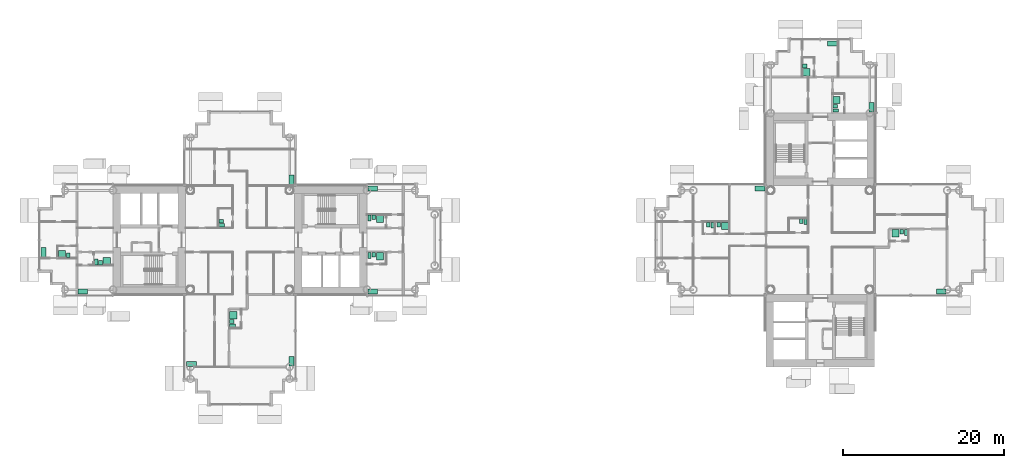
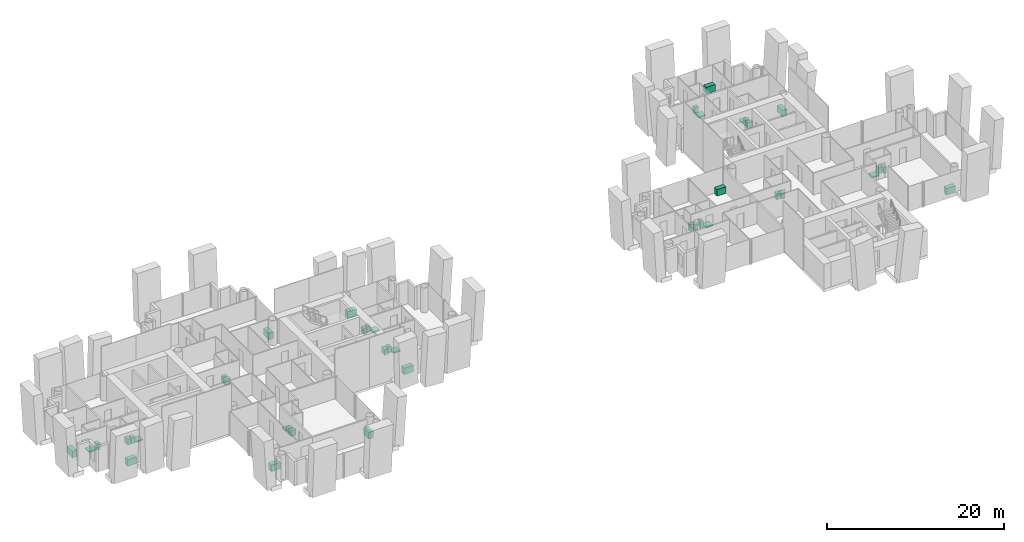
# One storey, part 21 of 21: 41 sanitary terminals.
"""IFC4 building model written with IfcOpenShell, lengths in metres."""

from ifc_helpers import new_model, si_unit, direction, frame, origin, origin_2d, place, context, subcontext, project, spatial, rectangle, extrude, material, type_object, element, save


model = new_model("IFC4")

# Units and contexts
model_context = context("Model", 3, precision=1e-05, world=origin(), true_north=direction((0.0, 1.0)))
body_context = subcontext(model_context, "Body", "Model", "MODEL_VIEW")
ifc_project = project(units=[si_unit("LENGTHUNIT", "METRE"), si_unit("AREAUNIT", "SQUARE_METRE"), si_unit("VOLUMEUNIT", "CUBIC_METRE"), si_unit("PLANEANGLEUNIT", "RADIAN"), si_unit("MASSUNIT", "GRAM", prefix="KILO")], contexts=[model_context])

# Site, building, storey
site_placement = place(None, origin())
site = spatial("IfcSite", under=ifc_project, at=site_placement, CompositionType="ELEMENT")
building_placement = place(site_placement, origin())
building = spatial("IfcBuilding", under=site, at=building_placement, Name="Ipe Terrace Towers", CompositionType="ELEMENT")
storey_placement = place(building_placement, frame((0.0, 0.0, 114.0)))
storey = spatial("IfcBuildingStorey", under=building, at=storey_placement, Name="L31", CompositionType="ELEMENT", Elevation=114.0)

# Sanitary terminals
ifc_material_1 = material(Name="Stainless sink unit", Category="metal")
sanitary_terminal_type_1 = type_object("IfcSanitaryTerminalType", Name="Kitchen sink unit", PredefinedType="SINK", material=ifc_material_1)
for number, where, z_axis, x_axis, name in (
    (1, (-29.6201171875, 7.469970703125, 0.0), (0.0, 0.0, 1.0), (0.0, -1.0, 0.0), "Kitchen sink unit"),
    (2, (-29.6201171875, -15.030029296875, 0.0), (0.0, 0.0, 1.0), (0.0, -1.0, 0.0), "Kitchen sink unit"),
    (3, (-42.030029296875, -15.3798828125, 0.0), (0.0, 0.0, 1.0), (-1.0, 0.0, 0.0), "Kitchen sink unit"),
    (4, (-19.530029296875, 6.3798828125, 0.0), (0.0, 0.0, 1.0), (1.0, 0.0, 0.0), "Kitchen sink unit"),
    (5, (-19.530029296875, -6.3798828125, 0.0), (0.0, 0.0, 1.0), (-1.0, 0.0, 0.0), "Kitchen sink unit"),
    (6, (-55.530029296875, -6.3798828125, 0.0), (0.0, 0.0, 1.0), (-1.0, 0.0, 0.0), "Kitchen sink unit"),
    (7, (-60.3798828125, -1.530029296875, 0.0), (0.0, 0.0, 1.0), (0.0, 1.0, 0.0), "Kitchen sink unit"),
    (8, (28.530029296875, 6.3798828125, 0.0), (0.0, 0.0, 1.0), (1.0, 0.0, 0.0), "Kitchen sink unit"),
    (9, (51.030029296875, -6.3798828125, 0.0), (0.0, 0.0, 1.0), (-1.0, 0.0, 0.0), "Kitchen sink unit"),
    (10, (42.3798828125, 16.469970703125, 0.0), (0.0, 0.0, 1.0), (0.0, -1.0, 0.0), "Kitchen sink unit"),
    (11, (37.530029296875, 24.3798828125, 0.0), (0.0, 0.0, 1.0), (1.0, 0.0, 0.0), "Kitchen sink unit"),
):
    element("IfcSanitaryTerminal", number, at=place(storey_placement, frame(where, z_axis=z_axis, x_axis=x_axis)), inside=storey, type_object=sanitary_terminal_type_1, Name=name, PredefinedType="SINK", context=body_context, shape_type="SweptSolid", body=[
        extrude(rectangle(XDim=1.199951171875, YDim=0.60009765625, at=origin_2d()), origin(), (0.0, 0.0, 1.0), 0.89990234375),
    ])
ifc_material_2 = material(Name="Acrylic", Category="plastic")
sanitary_terminal_type_2 = type_object("IfcSanitaryTerminalType", Name="Shower tray", PredefinedType="SHOWER", material=ifc_material_2)
for number, where, z_axis, x_axis, name in (
    (12, (-36.830078125, -9.330078125, 0.0), (0.0, 0.0, 1.0), (1.0, 0.0, 0.0), "Shower tray"),
    (13, (-18.6298828125, 2.6298828125, 0.0), (0.0, 0.0, 1.0), (0.0, -1.0, 0.0), "Shower tray"),
    (14, (-18.6298828125, -2.02001953125, 0.0), (0.0, 0.0, 1.0), (0.0, -1.0, 0.0), "Shower tray"),
    (15, (-52.530029296875, -2.6298828125, 0.0), (0.0, 0.0, 1.0), (0.0, 1.0, 0.0), "Shower tray"),
    (16, (-58.080078125, -1.72998046875, 0.0), (0.0, 0.0, 1.0), (0.0, 1.0, 0.0), "Shower tray"),
    (17, (24.179931640625, 1.72998046875, 0.0), (0.0, 0.0, 1.0), (0.0, -1.0, 0.0), "Shower tray"),
    (18, (45.330078125, 0.830078125, 0.0), (0.0, 0.0, 1.0), (0.0, -1.0, 0.0), "Shower tray"),
    (19, (38.02001953125, 17.3701171875, 0.0), (0.0, 0.0, 1.0), (1.0, 0.0, 0.0), "Shower tray"),
    (20, (34.27001953125, 20.820068359375, 0.0), (0.0, 0.0, 1.0), (1.0, 0.0, 0.0), "Shower tray"),
):
    element("IfcSanitaryTerminal", number, at=place(storey_placement, frame(where, z_axis=z_axis, x_axis=x_axis)), inside=storey, type_object=sanitary_terminal_type_2, Name=name, PredefinedType="SHOWER", context=body_context, shape_type="SweptSolid", body=[
        extrude(rectangle(XDim=0.89990234375, YDim=0.89990234375, at=origin_2d()), origin(), (0.0, 0.0, 1.0), 0.14990234375),
    ])
ifc_material_3 = material(Name="Vitreous china", Category="ceramic")
sanitary_terminal_type_3 = type_object("IfcSanitaryTerminalType", Name="Wash basin", PredefinedType="WASHHANDBASIN", material=ifc_material_3)
for number, where, z_axis, x_axis, name in (
    (21, (-38.35498046875, 2.344970703125, 0.0), (0.0, 0.0, 1.0), (1.0, 0.0, 0.0), "Wash basin"),
    (22, (-37.0048828125, -10.10498046875, 0.0), (0.0, 0.0, 1.0), (1.0, 0.0, 0.0), "Wash basin"),
    (23, (-19.405029296875, 2.804931640625, 0.0), (0.0, 0.0, 1.0), (0.0, -1.0, 0.0), "Wash basin"),
    (24, (-19.405029296875, -1.844970703125, 0.0), (0.0, 0.0, 1.0), (0.0, -1.0, 0.0), "Wash basin"),
    (25, (-53.304931640625, -2.804931640625, 0.0), (0.0, 0.0, 1.0), (0.0, 1.0, 0.0), "Wash basin"),
    (26, (-57.304931640625, -1.905029296875, 0.0), (0.0, 0.0, 1.0), (0.0, 1.0, 0.0), "Wash basin"),
    (27, (33.655029296875, 2.35498046875, 0.0), (0.0, 0.0, 1.0), (0.0, -1.0, 0.0), "Wash basin"),
    (28, (23.405029296875, 1.905029296875, 0.0), (0.0, 0.0, 1.0), (0.0, -1.0, 0.0), "Wash basin"),
    (29, (22.10498046875, 1.905029296875, 0.0), (0.0, 0.0, 1.0), (0.0, -1.0, 0.0), "Wash basin"),
    (30, (46.10498046875, 1.0048828125, 0.0), (0.0, 0.0, 1.0), (0.0, -1.0, 0.0), "Wash basin"),
    (31, (37.844970703125, 16.594970703125, 0.0), (0.0, 0.0, 1.0), (1.0, 0.0, 0.0), "Wash basin"),
    (32, (34.094970703125, 21.594970703125, 0.0), (0.0, 0.0, 1.0), (1.0, 0.0, 0.0), "Wash basin"),
):
    element("IfcSanitaryTerminal", number, at=place(storey_placement, frame(where, z_axis=z_axis, x_axis=x_axis)), inside=storey, type_object=sanitary_terminal_type_3, Name=name, PredefinedType="WASHHANDBASIN", context=body_context, shape_type="SweptSolid", body=[
        extrude(rectangle(XDim=0.550048828125, YDim=0.449951171875, at=origin_2d()), origin(), (0.0, 0.0, 1.0), 0.85009765625),
    ])
ifc_material_4 = material(Name="Vitreous china", Category="ceramic")
sanitary_terminal_type_4 = type_object("IfcSanitaryTerminalType", Name="Water closet", PredefinedType="TOILETPAN", material=ifc_material_4)
for number, where, z_axis, x_axis, name in (
    (33, (-38.280029296875, 1.820068359375, 0.0), (0.0, 0.0, 1.0), (1.0, 0.0, 0.0), "Water closet"),
    (34, (-36.929931640625, -10.6298828125, 0.0), (0.0, 0.0, 1.0), (1.0, 0.0, 0.0), "Water closet"),
    (35, (-19.929931640625, 2.72998046875, 0.0), (0.0, 0.0, 1.0), (0.0, -1.0, 0.0), "Water closet"),
    (36, (-19.929931640625, -1.919921875, 0.0), (0.0, 0.0, 1.0), (0.0, -1.0, 0.0), "Water closet"),
    (37, (-53.830078125, -2.72998046875, 0.0), (0.0, 0.0, 1.0), (0.0, 1.0, 0.0), "Water closet"),
    (38, (34.179931640625, 2.280029296875, 0.0), (0.0, 0.0, 1.0), (0.0, -1.0, 0.0), "Water closet"),
    (39, (22.6298828125, 1.830078125, 0.0), (0.0, 0.0, 1.0), (0.0, -1.0, 0.0), "Water closet"),
    (40, (46.6298828125, 0.929931640625, 0.0), (0.0, 0.0, 1.0), (0.0, -1.0, 0.0), "Water closet"),
    (41, (37.919921875, 16.070068359375, 0.0), (0.0, 0.0, 1.0), (1.0, 0.0, 0.0), "Water closet"),
):
    element("IfcSanitaryTerminal", number, at=place(storey_placement, frame(where, z_axis=z_axis, x_axis=x_axis)), inside=storey, type_object=sanitary_terminal_type_4, Name=name, PredefinedType="TOILETPAN", context=body_context, shape_type="SweptSolid", body=[
        extrude(rectangle(XDim=0.699951171875, YDim=0.39990234375, at=origin_2d()), origin(), (0.0, 0.0, 1.0), 0.780029296875),
    ])

save(model, "model.ifc")
